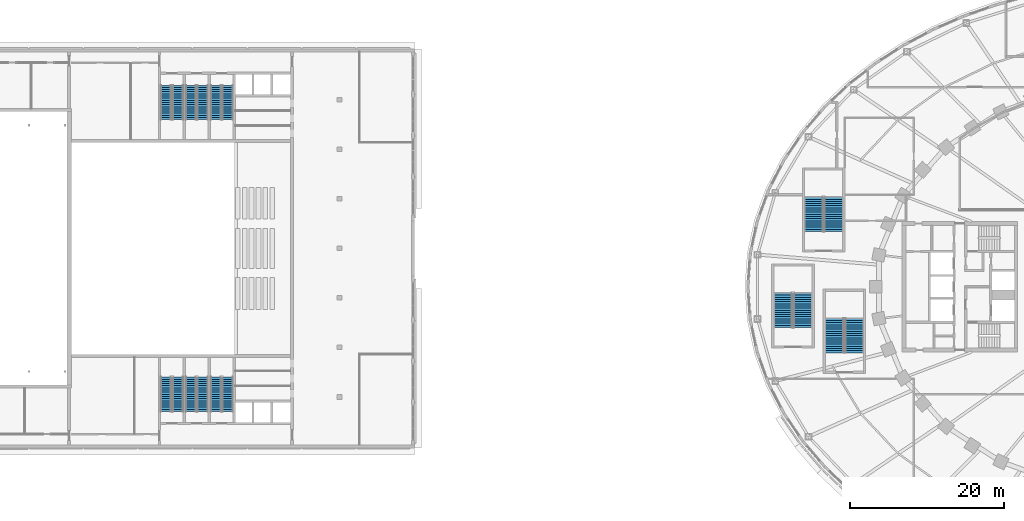
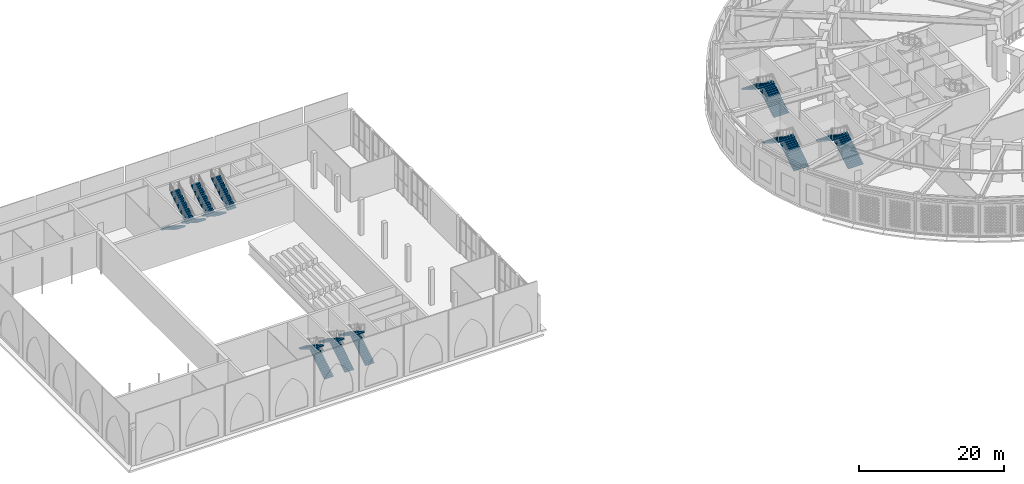
# One storey, part 27 of 74: 18 stair flights, 9 elements without a shape of their own.
"""IFC4 building model written with IfcOpenShell, lengths in metres."""

from ifc_helpers import new_model, si_unit, direction, frame, origin, place, context, subcontext, project, spatial, polyline, outline, extrude, material, type_object, element, aggregate, save


model = new_model("IFC4")

# Units and contexts
model_context = context("Model", 3, precision=1e-05, world=origin(), true_north=direction((0.0, 1.0)))
body_context = subcontext(model_context, "Body", "Model", "MODEL_VIEW")
ifc_project = project(units=[si_unit("LENGTHUNIT", "METRE"), si_unit("AREAUNIT", "SQUARE_METRE"), si_unit("VOLUMEUNIT", "CUBIC_METRE"), si_unit("PLANEANGLEUNIT", "RADIAN"), si_unit("MASSUNIT", "GRAM", prefix="KILO")], contexts=[model_context])

# Site, building, storey
site_placement = place(None, origin())
site = spatial("IfcSite", under=ifc_project, at=site_placement, CompositionType="ELEMENT")
building_placement = place(site_placement, origin())
building = spatial("IfcBuilding", under=site, at=building_placement, Name="Noorbagh Ring Tower", CompositionType="ELEMENT")
storey_placement = place(building_placement, frame((0.0, 0.0, 13.5)))
storey = spatial("IfcBuildingStorey", under=building, at=storey_placement, Name="L02", CompositionType="ELEMENT", Elevation=13.5)

# Stair, stair flights
ifc_material_1 = material(Name="Concrete C40/50", Category="concrete")
stair_type_1 = type_object("IfcStairType", Name="GND-STAIR", PredefinedType="HALF_TURN_STAIR", material=ifc_material_1)
stair_1_placement = place(storey_placement, origin())
stair_1 = element("IfcStair", 1, at=stair_1_placement, inside=storey, type_object=stair_type_1, Name="L02 exit stair ST-P1", PredefinedType="HALF_TURN_STAIR")
ifc_material_2 = material(Name="Concrete C40/50", Category="concrete")
stair_flight_type_1 = type_object("IfcStairFlightType", Name="GND-STAIR-FLIGHT", PredefinedType="STRAIGHT", material=ifc_material_2)
stair_flight_1_placement = place(storey_placement, frame((-37.75, -8.60009765625, 0.0), z_axis=(0.0, 0.0, 1.0), x_axis=(0.0, 1.0, 0.0)))
stair_flight_1 = element("IfcStairFlight", 2, at=stair_flight_1_placement, type_object=stair_flight_type_1, Name="ST-P1 flight 1", NumberOfRisers=17, NumberOfTreads=16, PredefinedType="STRAIGHT", RiserHeight=0.176470588, TreadLength=0.28, context=body_context, shape_type="SweptSolid", body=[
    extrude(outline(polyline([(0.0, 0.0), (0.0, 0.176513671875), (0.280029296875, 0.176513671875), (0.280029296875, 0.35302734375), (0.56005859375, 0.35302734375), (0.56005859375, 0.529296875), (0.840087890625, 0.529296875), (0.840087890625, 0.705810546875), (1.1201171875, 0.705810546875), (1.1201171875, 0.88232421875), (1.39990234375, 0.88232421875), (1.39990234375, 1.058837890625), (1.679931640625, 1.058837890625), (1.679931640625, 1.2353515625), (1.9599609375, 1.2353515625), (1.9599609375, 1.411865234375), (2.239990234375, 1.411865234375), (2.239990234375, 1.588134765625), (2.52001953125, 1.588134765625), (2.52001953125, 1.7646484375), (2.800048828125, 1.7646484375), (2.800048828125, 1.941162109375), (3.080078125, 1.941162109375), (3.080078125, 2.11767578125), (3.360107421875, 2.11767578125), (3.360107421875, 2.294189453125), (3.639892578125, 2.294189453125), (3.639892578125, 2.470703125), (3.919921875, 2.470703125), (3.919921875, 2.64697265625), (4.199951171875, 2.64697265625), (4.199951171875, 2.823486328125), (4.47998046875, 2.823486328125), (4.47998046875, 3.0), (4.47998046875, 2.646240234375), (0.28125, 0.0), (0.0, 0.0)])), frame((0.0, 1.199951171875, 0.0), z_axis=(0.0, -1.0, 0.0), x_axis=(1.0, 0.0, 0.0)), (0.0, 0.0, 1.0), 2.39990234375),
])
stair_flight_2_placement = place(storey_placement, frame((-40.300048828125, -4.1201171875, 3.0), z_axis=(0.0, 0.0, 1.0), x_axis=(0.0, -1.0, 0.0)))
stair_flight_2 = element("IfcStairFlight", 3, at=stair_flight_2_placement, type_object=stair_flight_type_1, Name="ST-P1 flight 2", NumberOfRisers=17, NumberOfTreads=16, PredefinedType="STRAIGHT", RiserHeight=0.176470588, TreadLength=0.28, context=body_context, shape_type="SweptSolid", body=[
    extrude(outline(polyline([(0.0, 0.0), (0.0, 0.176513671875), (0.280029296875, 0.176513671875), (0.280029296875, 0.35302734375), (0.56005859375, 0.35302734375), (0.56005859375, 0.529296875), (0.840087890625, 0.529296875), (0.840087890625, 0.705810546875), (1.1201171875, 0.705810546875), (1.1201171875, 0.88232421875), (1.39990234375, 0.88232421875), (1.39990234375, 1.058837890625), (1.679931640625, 1.058837890625), (1.679931640625, 1.2353515625), (1.9599609375, 1.2353515625), (1.9599609375, 1.411865234375), (2.239990234375, 1.411865234375), (2.239990234375, 1.588134765625), (2.52001953125, 1.588134765625), (2.52001953125, 1.7646484375), (2.800048828125, 1.7646484375), (2.800048828125, 1.941162109375), (3.080078125, 1.941162109375), (3.080078125, 2.11767578125), (3.360107421875, 2.11767578125), (3.360107421875, 2.294189453125), (3.639892578125, 2.294189453125), (3.639892578125, 2.470703125), (3.919921875, 2.470703125), (3.919921875, 2.64697265625), (4.199951171875, 2.64697265625), (4.199951171875, 2.823486328125), (4.47998046875, 2.823486328125), (4.47998046875, 3.0), (4.47998046875, 2.646240234375), (0.28125, 0.0), (0.0, 0.0)])), frame((0.0, 1.199951171875, 0.0), z_axis=(0.0, -1.0, 0.0), x_axis=(1.0, 0.0, 0.0)), (0.0, 0.0, 1.0), 2.39990234375),
])
aggregate(stair_1, [stair_flight_1, stair_flight_2])

stair_2_placement = place(storey_placement, origin())
stair_2 = element("IfcStair", 4, at=stair_2_placement, inside=storey, type_object=stair_type_1, Name="L02 exit stair ST-P3", PredefinedType="HALF_TURN_STAIR")
stair_flight_3_placement = place(storey_placement, frame((-44.449951171875, -5.300048828125, 0.0), z_axis=(0.0, 0.0, 1.0), x_axis=(0.0, 1.0, 0.0)))
stair_flight_3 = element("IfcStairFlight", 5, at=stair_flight_3_placement, type_object=stair_flight_type_1, Name="ST-P3 flight 1", NumberOfRisers=17, NumberOfTreads=16, PredefinedType="STRAIGHT", RiserHeight=0.176470588, TreadLength=0.28, context=body_context, shape_type="SweptSolid", body=[
    extrude(outline(polyline([(0.0, 0.0), (0.0, 0.176513671875), (0.280029296875, 0.176513671875), (0.280029296875, 0.35302734375), (0.56005859375, 0.35302734375), (0.56005859375, 0.529296875), (0.840087890625, 0.529296875), (0.840087890625, 0.705810546875), (1.1201171875, 0.705810546875), (1.1201171875, 0.88232421875), (1.39990234375, 0.88232421875), (1.39990234375, 1.058837890625), (1.679931640625, 1.058837890625), (1.679931640625, 1.2353515625), (1.9599609375, 1.2353515625), (1.9599609375, 1.411865234375), (2.239990234375, 1.411865234375), (2.239990234375, 1.588134765625), (2.52001953125, 1.588134765625), (2.52001953125, 1.7646484375), (2.800048828125, 1.7646484375), (2.800048828125, 1.941162109375), (3.080078125, 1.941162109375), (3.080078125, 2.11767578125), (3.360107421875, 2.11767578125), (3.360107421875, 2.294189453125), (3.639892578125, 2.294189453125), (3.639892578125, 2.470703125), (3.919921875, 2.470703125), (3.919921875, 2.64697265625), (4.199951171875, 2.64697265625), (4.199951171875, 2.823486328125), (4.47998046875, 2.823486328125), (4.47998046875, 3.0), (4.47998046875, 2.646240234375), (0.28125, 0.0), (0.0, 0.0)])), frame((0.0, 1.199951171875, 0.0), z_axis=(0.0, -1.0, 0.0), x_axis=(1.0, 0.0, 0.0)), (0.0, 0.0, 1.0), 2.39990234375),
])
stair_flight_4_placement = place(storey_placement, frame((-47.0, -0.820068359375, 3.0), z_axis=(0.0, 0.0, 1.0), x_axis=(0.0, -1.0, 0.0)))
stair_flight_4 = element("IfcStairFlight", 6, at=stair_flight_4_placement, type_object=stair_flight_type_1, Name="ST-P3 flight 2", NumberOfRisers=17, NumberOfTreads=16, PredefinedType="STRAIGHT", RiserHeight=0.176470588, TreadLength=0.28, context=body_context, shape_type="SweptSolid", body=[
    extrude(outline(polyline([(0.0, 0.0), (0.0, 0.176513671875), (0.280029296875, 0.176513671875), (0.280029296875, 0.35302734375), (0.56005859375, 0.35302734375), (0.56005859375, 0.529296875), (0.840087890625, 0.529296875), (0.840087890625, 0.705810546875), (1.1201171875, 0.705810546875), (1.1201171875, 0.88232421875), (1.39990234375, 0.88232421875), (1.39990234375, 1.058837890625), (1.679931640625, 1.058837890625), (1.679931640625, 1.2353515625), (1.9599609375, 1.2353515625), (1.9599609375, 1.411865234375), (2.239990234375, 1.411865234375), (2.239990234375, 1.588134765625), (2.52001953125, 1.588134765625), (2.52001953125, 1.7646484375), (2.800048828125, 1.7646484375), (2.800048828125, 1.941162109375), (3.080078125, 1.941162109375), (3.080078125, 2.11767578125), (3.360107421875, 2.11767578125), (3.360107421875, 2.294189453125), (3.639892578125, 2.294189453125), (3.639892578125, 2.470703125), (3.919921875, 2.470703125), (3.919921875, 2.64697265625), (4.199951171875, 2.64697265625), (4.199951171875, 2.823486328125), (4.47998046875, 2.823486328125), (4.47998046875, 3.0), (4.47998046875, 2.646240234375), (0.28125, 0.0), (0.0, 0.0)])), frame((0.0, 1.199951171875, 0.0), z_axis=(0.0, -1.0, 0.0), x_axis=(1.0, 0.0, 0.0)), (0.0, 0.0, 1.0), 2.39990234375),
])
aggregate(stair_2, [stair_flight_3, stair_flight_4])

stair_3_placement = place(storey_placement, origin())
stair_3 = element("IfcStair", 7, at=stair_3_placement, inside=storey, type_object=stair_type_1, Name="L02 exit stair ST-P7", PredefinedType="HALF_TURN_STAIR")
stair_flight_5_placement = place(storey_placement, frame((-40.449951171875, 7.199951171875, 0.0), z_axis=(0.0, 0.0, 1.0), x_axis=(0.0, 1.0, 0.0)))
stair_flight_5 = element("IfcStairFlight", 8, at=stair_flight_5_placement, type_object=stair_flight_type_1, Name="ST-P7 flight 1", NumberOfRisers=17, NumberOfTreads=16, PredefinedType="STRAIGHT", RiserHeight=0.176470588, TreadLength=0.28, context=body_context, shape_type="SweptSolid", body=[
    extrude(outline(polyline([(0.0, 0.0), (0.0, 0.176513671875), (0.280029296875, 0.176513671875), (0.280029296875, 0.35302734375), (0.56005859375, 0.35302734375), (0.56005859375, 0.529296875), (0.840087890625, 0.529296875), (0.840087890625, 0.705810546875), (1.1201171875, 0.705810546875), (1.1201171875, 0.88232421875), (1.39990234375, 0.88232421875), (1.39990234375, 1.058837890625), (1.679931640625, 1.058837890625), (1.679931640625, 1.2353515625), (1.9599609375, 1.2353515625), (1.9599609375, 1.411865234375), (2.239990234375, 1.411865234375), (2.239990234375, 1.588134765625), (2.52001953125, 1.588134765625), (2.52001953125, 1.7646484375), (2.800048828125, 1.7646484375), (2.800048828125, 1.941162109375), (3.080078125, 1.941162109375), (3.080078125, 2.11767578125), (3.360107421875, 2.11767578125), (3.360107421875, 2.294189453125), (3.639892578125, 2.294189453125), (3.639892578125, 2.470703125), (3.919921875, 2.470703125), (3.919921875, 2.64697265625), (4.199951171875, 2.64697265625), (4.199951171875, 2.823486328125), (4.47998046875, 2.823486328125), (4.47998046875, 3.0), (4.47998046875, 2.646240234375), (0.28125, 0.0), (0.0, 0.0)])), frame((0.0, 1.199951171875, 0.0), z_axis=(0.0, -1.0, 0.0), x_axis=(1.0, 0.0, 0.0)), (0.0, 0.0, 1.0), 2.39990234375),
])
stair_flight_6_placement = place(storey_placement, frame((-43.0, 11.679931640625, 3.0), z_axis=(0.0, 0.0, 1.0), x_axis=(0.0, -1.0, 0.0)))
stair_flight_6 = element("IfcStairFlight", 9, at=stair_flight_6_placement, type_object=stair_flight_type_1, Name="ST-P7 flight 2", NumberOfRisers=17, NumberOfTreads=16, PredefinedType="STRAIGHT", RiserHeight=0.176470588, TreadLength=0.28, context=body_context, shape_type="SweptSolid", body=[
    extrude(outline(polyline([(0.0, 0.0), (0.0, 0.176513671875), (0.280029296875, 0.176513671875), (0.280029296875, 0.35302734375), (0.56005859375, 0.35302734375), (0.56005859375, 0.529296875), (0.840087890625, 0.529296875), (0.840087890625, 0.705810546875), (1.1201171875, 0.705810546875), (1.1201171875, 0.88232421875), (1.39990234375, 0.88232421875), (1.39990234375, 1.058837890625), (1.679931640625, 1.058837890625), (1.679931640625, 1.2353515625), (1.9599609375, 1.2353515625), (1.9599609375, 1.411865234375), (2.239990234375, 1.411865234375), (2.239990234375, 1.588134765625), (2.52001953125, 1.588134765625), (2.52001953125, 1.7646484375), (2.800048828125, 1.7646484375), (2.800048828125, 1.941162109375), (3.080078125, 1.941162109375), (3.080078125, 2.11767578125), (3.360107421875, 2.11767578125), (3.360107421875, 2.294189453125), (3.639892578125, 2.294189453125), (3.639892578125, 2.470703125), (3.919921875, 2.470703125), (3.919921875, 2.64697265625), (4.199951171875, 2.64697265625), (4.199951171875, 2.823486328125), (4.47998046875, 2.823486328125), (4.47998046875, 3.0), (4.47998046875, 2.646240234375), (0.28125, 0.0), (0.0, 0.0)])), frame((0.0, 1.199951171875, 0.0), z_axis=(0.0, -1.0, 0.0), x_axis=(1.0, 0.0, 0.0)), (0.0, 0.0, 1.0), 2.39990234375),
])
aggregate(stair_3, [stair_flight_5, stair_flight_6])

ifc_material_3 = material(Name="Concrete C40/50", Category="concrete")
stair_type_2 = type_object("IfcStairType", Name="TH-STAIR", PredefinedType="HALF_TURN_STAIR", material=ifc_material_3)
stair_4_placement = place(storey_placement, origin())
stair_4 = element("IfcStair", 10, at=stair_4_placement, inside=storey, type_object=stair_type_2, Name="L02 Exit stair S1", PredefinedType="HALF_TURN_STAIR")
ifc_material_4 = material(Name="Concrete C40/50", Category="concrete")
stair_flight_type_2 = type_object("IfcStairFlightType", Name="TH-STAIR-FLIGHT", PredefinedType="STRAIGHT", material=ifc_material_4)
stair_flight_7_placement = place(storey_placement, frame((-122.60009765625, -16.25, 0.0), z_axis=(0.0, 0.0, 1.0), x_axis=(0.0, 1.0, 0.0)))
stair_flight_7 = element("IfcStairFlight", 11, at=stair_flight_7_placement, type_object=stair_flight_type_2, Name="TSS1 flight 1", NumberOfRisers=17, NumberOfTreads=16, PredefinedType="STRAIGHT", RiserHeight=0.176470588, TreadLength=0.28, context=body_context, shape_type="SweptSolid", body=[
    extrude(outline(polyline([(0.0, 0.0), (0.0, 0.176513671875), (0.280029296875, 0.176513671875), (0.280029296875, 0.35302734375), (0.56005859375, 0.35302734375), (0.56005859375, 0.529296875), (0.840087890625, 0.529296875), (0.840087890625, 0.705810546875), (1.1201171875, 0.705810546875), (1.1201171875, 0.88232421875), (1.39990234375, 0.88232421875), (1.39990234375, 1.058837890625), (1.679931640625, 1.058837890625), (1.679931640625, 1.2353515625), (1.9599609375, 1.2353515625), (1.9599609375, 1.411865234375), (2.239990234375, 1.411865234375), (2.239990234375, 1.588134765625), (2.52001953125, 1.588134765625), (2.52001953125, 1.7646484375), (2.800048828125, 1.7646484375), (2.800048828125, 1.941162109375), (3.080078125, 1.941162109375), (3.080078125, 2.11767578125), (3.360107421875, 2.11767578125), (3.360107421875, 2.294189453125), (3.639892578125, 2.294189453125), (3.639892578125, 2.470703125), (3.919921875, 2.470703125), (3.919921875, 2.64697265625), (4.199951171875, 2.64697265625), (4.199951171875, 2.823486328125), (4.47998046875, 2.823486328125), (4.47998046875, 3.0), (4.47998046875, 2.646240234375), (0.28125, 0.0), (0.0, 0.0)])), frame((0.0, 0.699951171875, 0.0), z_axis=(0.0, -1.0, 0.0), x_axis=(1.0, 0.0, 0.0)), (0.0, 0.0, 1.0), 1.39990234375),
])
stair_flight_8_placement = place(storey_placement, frame((-124.14990234375, -11.77001953125, 3.0), z_axis=(0.0, 0.0, 1.0), x_axis=(0.0, -1.0, 0.0)))
stair_flight_8 = element("IfcStairFlight", 12, at=stair_flight_8_placement, type_object=stair_flight_type_2, Name="TSS1 flight 2", NumberOfRisers=17, NumberOfTreads=16, PredefinedType="STRAIGHT", RiserHeight=0.176470588, TreadLength=0.28, context=body_context, shape_type="SweptSolid", body=[
    extrude(outline(polyline([(0.0, 0.0), (0.0, 0.176513671875), (0.280029296875, 0.176513671875), (0.280029296875, 0.35302734375), (0.56005859375, 0.35302734375), (0.56005859375, 0.529296875), (0.840087890625, 0.529296875), (0.840087890625, 0.705810546875), (1.1201171875, 0.705810546875), (1.1201171875, 0.88232421875), (1.39990234375, 0.88232421875), (1.39990234375, 1.058837890625), (1.679931640625, 1.058837890625), (1.679931640625, 1.2353515625), (1.9599609375, 1.2353515625), (1.9599609375, 1.411865234375), (2.239990234375, 1.411865234375), (2.239990234375, 1.588134765625), (2.52001953125, 1.588134765625), (2.52001953125, 1.7646484375), (2.800048828125, 1.7646484375), (2.800048828125, 1.941162109375), (3.080078125, 1.941162109375), (3.080078125, 2.11767578125), (3.360107421875, 2.11767578125), (3.360107421875, 2.294189453125), (3.639892578125, 2.294189453125), (3.639892578125, 2.470703125), (3.919921875, 2.470703125), (3.919921875, 2.64697265625), (4.199951171875, 2.64697265625), (4.199951171875, 2.823486328125), (4.47998046875, 2.823486328125), (4.47998046875, 3.0), (4.47998046875, 2.646240234375), (0.28125, 0.0), (0.0, 0.0)])), frame((0.0, 0.699951171875, 0.0), z_axis=(0.0, -1.0, 0.0), x_axis=(1.0, 0.0, 0.0)), (0.0, 0.0, 1.0), 1.39990234375),
])
aggregate(stair_4, [stair_flight_7, stair_flight_8])

stair_5_placement = place(storey_placement, origin())
stair_5 = element("IfcStair", 13, at=stair_5_placement, inside=storey, type_object=stair_type_2, Name="L02 Exit stair S2", PredefinedType="HALF_TURN_STAIR")
stair_flight_9_placement = place(storey_placement, frame((-119.35009765625, -16.25, 0.0), z_axis=(0.0, 0.0, 1.0), x_axis=(0.0, 1.0, 0.0)))
stair_flight_9 = element("IfcStairFlight", 14, at=stair_flight_9_placement, type_object=stair_flight_type_2, Name="TSS2 flight 1", NumberOfRisers=17, NumberOfTreads=16, PredefinedType="STRAIGHT", RiserHeight=0.176470588, TreadLength=0.28, context=body_context, shape_type="SweptSolid", body=[
    extrude(outline(polyline([(0.0, 0.0), (0.0, 0.176513671875), (0.280029296875, 0.176513671875), (0.280029296875, 0.35302734375), (0.56005859375, 0.35302734375), (0.56005859375, 0.529296875), (0.840087890625, 0.529296875), (0.840087890625, 0.705810546875), (1.1201171875, 0.705810546875), (1.1201171875, 0.88232421875), (1.39990234375, 0.88232421875), (1.39990234375, 1.058837890625), (1.679931640625, 1.058837890625), (1.679931640625, 1.2353515625), (1.9599609375, 1.2353515625), (1.9599609375, 1.411865234375), (2.239990234375, 1.411865234375), (2.239990234375, 1.588134765625), (2.52001953125, 1.588134765625), (2.52001953125, 1.7646484375), (2.800048828125, 1.7646484375), (2.800048828125, 1.941162109375), (3.080078125, 1.941162109375), (3.080078125, 2.11767578125), (3.360107421875, 2.11767578125), (3.360107421875, 2.294189453125), (3.639892578125, 2.294189453125), (3.639892578125, 2.470703125), (3.919921875, 2.470703125), (3.919921875, 2.64697265625), (4.199951171875, 2.64697265625), (4.199951171875, 2.823486328125), (4.47998046875, 2.823486328125), (4.47998046875, 3.0), (4.47998046875, 2.646240234375), (0.28125, 0.0), (0.0, 0.0)])), frame((0.0, 0.699951171875, 0.0), z_axis=(0.0, -1.0, 0.0), x_axis=(1.0, 0.0, 0.0)), (0.0, 0.0, 1.0), 1.39990234375),
])
stair_flight_10_placement = place(storey_placement, frame((-120.89990234375, -11.77001953125, 3.0), z_axis=(0.0, 0.0, 1.0), x_axis=(0.0, -1.0, 0.0)))
stair_flight_10 = element("IfcStairFlight", 15, at=stair_flight_10_placement, type_object=stair_flight_type_2, Name="TSS2 flight 2", NumberOfRisers=17, NumberOfTreads=16, PredefinedType="STRAIGHT", RiserHeight=0.176470588, TreadLength=0.28, context=body_context, shape_type="SweptSolid", body=[
    extrude(outline(polyline([(0.0, 0.0), (0.0, 0.176513671875), (0.280029296875, 0.176513671875), (0.280029296875, 0.35302734375), (0.56005859375, 0.35302734375), (0.56005859375, 0.529296875), (0.840087890625, 0.529296875), (0.840087890625, 0.705810546875), (1.1201171875, 0.705810546875), (1.1201171875, 0.88232421875), (1.39990234375, 0.88232421875), (1.39990234375, 1.058837890625), (1.679931640625, 1.058837890625), (1.679931640625, 1.2353515625), (1.9599609375, 1.2353515625), (1.9599609375, 1.411865234375), (2.239990234375, 1.411865234375), (2.239990234375, 1.588134765625), (2.52001953125, 1.588134765625), (2.52001953125, 1.7646484375), (2.800048828125, 1.7646484375), (2.800048828125, 1.941162109375), (3.080078125, 1.941162109375), (3.080078125, 2.11767578125), (3.360107421875, 2.11767578125), (3.360107421875, 2.294189453125), (3.639892578125, 2.294189453125), (3.639892578125, 2.470703125), (3.919921875, 2.470703125), (3.919921875, 2.64697265625), (4.199951171875, 2.64697265625), (4.199951171875, 2.823486328125), (4.47998046875, 2.823486328125), (4.47998046875, 3.0), (4.47998046875, 2.646240234375), (0.28125, 0.0), (0.0, 0.0)])), frame((0.0, 0.699951171875, 0.0), z_axis=(0.0, -1.0, 0.0), x_axis=(1.0, 0.0, 0.0)), (0.0, 0.0, 1.0), 1.39990234375),
])
aggregate(stair_5, [stair_flight_9, stair_flight_10])

stair_6_placement = place(storey_placement, origin())
stair_6 = element("IfcStair", 16, at=stair_6_placement, inside=storey, type_object=stair_type_2, Name="L02 Exit stair S3", PredefinedType="HALF_TURN_STAIR")
stair_flight_11_placement = place(storey_placement, frame((-125.85009765625, -16.25, 0.0), z_axis=(0.0, 0.0, 1.0), x_axis=(0.0, 1.0, 0.0)))
stair_flight_11 = element("IfcStairFlight", 17, at=stair_flight_11_placement, type_object=stair_flight_type_2, Name="TSS3 flight 1", NumberOfRisers=17, NumberOfTreads=16, PredefinedType="STRAIGHT", RiserHeight=0.176470588, TreadLength=0.28, context=body_context, shape_type="SweptSolid", body=[
    extrude(outline(polyline([(0.0, 0.0), (0.0, 0.176513671875), (0.280029296875, 0.176513671875), (0.280029296875, 0.35302734375), (0.56005859375, 0.35302734375), (0.56005859375, 0.529296875), (0.840087890625, 0.529296875), (0.840087890625, 0.705810546875), (1.1201171875, 0.705810546875), (1.1201171875, 0.88232421875), (1.39990234375, 0.88232421875), (1.39990234375, 1.058837890625), (1.679931640625, 1.058837890625), (1.679931640625, 1.2353515625), (1.9599609375, 1.2353515625), (1.9599609375, 1.411865234375), (2.239990234375, 1.411865234375), (2.239990234375, 1.588134765625), (2.52001953125, 1.588134765625), (2.52001953125, 1.7646484375), (2.800048828125, 1.7646484375), (2.800048828125, 1.941162109375), (3.080078125, 1.941162109375), (3.080078125, 2.11767578125), (3.360107421875, 2.11767578125), (3.360107421875, 2.294189453125), (3.639892578125, 2.294189453125), (3.639892578125, 2.470703125), (3.919921875, 2.470703125), (3.919921875, 2.64697265625), (4.199951171875, 2.64697265625), (4.199951171875, 2.823486328125), (4.47998046875, 2.823486328125), (4.47998046875, 3.0), (4.47998046875, 2.646240234375), (0.28125, 0.0), (0.0, 0.0)])), frame((0.0, 0.699951171875, 0.0), z_axis=(0.0, -1.0, 0.0), x_axis=(1.0, 0.0, 0.0)), (0.0, 0.0, 1.0), 1.39990234375),
])
stair_flight_12_placement = place(storey_placement, frame((-127.39990234375, -11.77001953125, 3.0), z_axis=(0.0, 0.0, 1.0), x_axis=(0.0, -1.0, 0.0)))
stair_flight_12 = element("IfcStairFlight", 18, at=stair_flight_12_placement, type_object=stair_flight_type_2, Name="TSS3 flight 2", NumberOfRisers=17, NumberOfTreads=16, PredefinedType="STRAIGHT", RiserHeight=0.176470588, TreadLength=0.28, context=body_context, shape_type="SweptSolid", body=[
    extrude(outline(polyline([(0.0, 0.0), (0.0, 0.176513671875), (0.280029296875, 0.176513671875), (0.280029296875, 0.35302734375), (0.56005859375, 0.35302734375), (0.56005859375, 0.529296875), (0.840087890625, 0.529296875), (0.840087890625, 0.705810546875), (1.1201171875, 0.705810546875), (1.1201171875, 0.88232421875), (1.39990234375, 0.88232421875), (1.39990234375, 1.058837890625), (1.679931640625, 1.058837890625), (1.679931640625, 1.2353515625), (1.9599609375, 1.2353515625), (1.9599609375, 1.411865234375), (2.239990234375, 1.411865234375), (2.239990234375, 1.588134765625), (2.52001953125, 1.588134765625), (2.52001953125, 1.7646484375), (2.800048828125, 1.7646484375), (2.800048828125, 1.941162109375), (3.080078125, 1.941162109375), (3.080078125, 2.11767578125), (3.360107421875, 2.11767578125), (3.360107421875, 2.294189453125), (3.639892578125, 2.294189453125), (3.639892578125, 2.470703125), (3.919921875, 2.470703125), (3.919921875, 2.64697265625), (4.199951171875, 2.64697265625), (4.199951171875, 2.823486328125), (4.47998046875, 2.823486328125), (4.47998046875, 3.0), (4.47998046875, 2.646240234375), (0.28125, 0.0), (0.0, 0.0)])), frame((0.0, 0.699951171875, 0.0), z_axis=(0.0, -1.0, 0.0), x_axis=(1.0, 0.0, 0.0)), (0.0, 0.0, 1.0), 1.39990234375),
])
aggregate(stair_6, [stair_flight_11, stair_flight_12])

stair_7_placement = place(storey_placement, origin())
stair_7 = element("IfcStair", 19, at=stair_7_placement, inside=storey, type_object=stair_type_2, Name="L02 Exit stair N1", PredefinedType="HALF_TURN_STAIR")
stair_flight_13_placement = place(storey_placement, frame((-124.14990234375, 26.25, 0.0), z_axis=(0.0, 0.0, 1.0), x_axis=(0.0, -1.0, 0.0)))
stair_flight_13 = element("IfcStairFlight", 20, at=stair_flight_13_placement, type_object=stair_flight_type_2, Name="TSN1 flight 1", NumberOfRisers=17, NumberOfTreads=16, PredefinedType="STRAIGHT", RiserHeight=0.176470588, TreadLength=0.28, context=body_context, shape_type="SweptSolid", body=[
    extrude(outline(polyline([(0.0, 0.0), (0.0, 0.176513671875), (0.280029296875, 0.176513671875), (0.280029296875, 0.35302734375), (0.56005859375, 0.35302734375), (0.56005859375, 0.529296875), (0.840087890625, 0.529296875), (0.840087890625, 0.705810546875), (1.1201171875, 0.705810546875), (1.1201171875, 0.88232421875), (1.39990234375, 0.88232421875), (1.39990234375, 1.058837890625), (1.679931640625, 1.058837890625), (1.679931640625, 1.2353515625), (1.9599609375, 1.2353515625), (1.9599609375, 1.411865234375), (2.239990234375, 1.411865234375), (2.239990234375, 1.588134765625), (2.52001953125, 1.588134765625), (2.52001953125, 1.7646484375), (2.800048828125, 1.7646484375), (2.800048828125, 1.941162109375), (3.080078125, 1.941162109375), (3.080078125, 2.11767578125), (3.360107421875, 2.11767578125), (3.360107421875, 2.294189453125), (3.639892578125, 2.294189453125), (3.639892578125, 2.470703125), (3.919921875, 2.470703125), (3.919921875, 2.64697265625), (4.199951171875, 2.64697265625), (4.199951171875, 2.823486328125), (4.47998046875, 2.823486328125), (4.47998046875, 3.0), (4.47998046875, 2.646240234375), (0.28125, 0.0), (0.0, 0.0)])), frame((0.0, 0.699951171875, 0.0), z_axis=(0.0, -1.0, 0.0), x_axis=(1.0, 0.0, 0.0)), (0.0, 0.0, 1.0), 1.39990234375),
])
stair_flight_14_placement = place(storey_placement, frame((-122.60009765625, 21.77001953125, 3.0), z_axis=(0.0, 0.0, 1.0), x_axis=(0.0, 1.0, 0.0)))
stair_flight_14 = element("IfcStairFlight", 21, at=stair_flight_14_placement, type_object=stair_flight_type_2, Name="TSN1 flight 2", NumberOfRisers=17, NumberOfTreads=16, PredefinedType="STRAIGHT", RiserHeight=0.176470588, TreadLength=0.28, context=body_context, shape_type="SweptSolid", body=[
    extrude(outline(polyline([(0.0, 0.0), (0.0, 0.176513671875), (0.280029296875, 0.176513671875), (0.280029296875, 0.35302734375), (0.56005859375, 0.35302734375), (0.56005859375, 0.529296875), (0.840087890625, 0.529296875), (0.840087890625, 0.705810546875), (1.1201171875, 0.705810546875), (1.1201171875, 0.88232421875), (1.39990234375, 0.88232421875), (1.39990234375, 1.058837890625), (1.679931640625, 1.058837890625), (1.679931640625, 1.2353515625), (1.9599609375, 1.2353515625), (1.9599609375, 1.411865234375), (2.239990234375, 1.411865234375), (2.239990234375, 1.588134765625), (2.52001953125, 1.588134765625), (2.52001953125, 1.7646484375), (2.800048828125, 1.7646484375), (2.800048828125, 1.941162109375), (3.080078125, 1.941162109375), (3.080078125, 2.11767578125), (3.360107421875, 2.11767578125), (3.360107421875, 2.294189453125), (3.639892578125, 2.294189453125), (3.639892578125, 2.470703125), (3.919921875, 2.470703125), (3.919921875, 2.64697265625), (4.199951171875, 2.64697265625), (4.199951171875, 2.823486328125), (4.47998046875, 2.823486328125), (4.47998046875, 3.0), (4.47998046875, 2.646240234375), (0.28125, 0.0), (0.0, 0.0)])), frame((0.0, 0.699951171875, 0.0), z_axis=(0.0, -1.0, 0.0), x_axis=(1.0, 0.0, 0.0)), (0.0, 0.0, 1.0), 1.39990234375),
])
aggregate(stair_7, [stair_flight_13, stair_flight_14])

stair_8_placement = place(storey_placement, origin())
stair_8 = element("IfcStair", 22, at=stair_8_placement, inside=storey, type_object=stair_type_2, Name="L02 Exit stair N2", PredefinedType="HALF_TURN_STAIR")
stair_flight_15_placement = place(storey_placement, frame((-120.89990234375, 26.25, 0.0), z_axis=(0.0, 0.0, 1.0), x_axis=(0.0, -1.0, 0.0)))
stair_flight_15 = element("IfcStairFlight", 23, at=stair_flight_15_placement, type_object=stair_flight_type_2, Name="TSN2 flight 1", NumberOfRisers=17, NumberOfTreads=16, PredefinedType="STRAIGHT", RiserHeight=0.176470588, TreadLength=0.28, context=body_context, shape_type="SweptSolid", body=[
    extrude(outline(polyline([(0.0, 0.0), (0.0, 0.176513671875), (0.280029296875, 0.176513671875), (0.280029296875, 0.35302734375), (0.56005859375, 0.35302734375), (0.56005859375, 0.529296875), (0.840087890625, 0.529296875), (0.840087890625, 0.705810546875), (1.1201171875, 0.705810546875), (1.1201171875, 0.88232421875), (1.39990234375, 0.88232421875), (1.39990234375, 1.058837890625), (1.679931640625, 1.058837890625), (1.679931640625, 1.2353515625), (1.9599609375, 1.2353515625), (1.9599609375, 1.411865234375), (2.239990234375, 1.411865234375), (2.239990234375, 1.588134765625), (2.52001953125, 1.588134765625), (2.52001953125, 1.7646484375), (2.800048828125, 1.7646484375), (2.800048828125, 1.941162109375), (3.080078125, 1.941162109375), (3.080078125, 2.11767578125), (3.360107421875, 2.11767578125), (3.360107421875, 2.294189453125), (3.639892578125, 2.294189453125), (3.639892578125, 2.470703125), (3.919921875, 2.470703125), (3.919921875, 2.64697265625), (4.199951171875, 2.64697265625), (4.199951171875, 2.823486328125), (4.47998046875, 2.823486328125), (4.47998046875, 3.0), (4.47998046875, 2.646240234375), (0.28125, 0.0), (0.0, 0.0)])), frame((0.0, 0.699951171875, 0.0), z_axis=(0.0, -1.0, 0.0), x_axis=(1.0, 0.0, 0.0)), (0.0, 0.0, 1.0), 1.39990234375),
])
stair_flight_16_placement = place(storey_placement, frame((-119.35009765625, 21.77001953125, 3.0), z_axis=(0.0, 0.0, 1.0), x_axis=(0.0, 1.0, 0.0)))
stair_flight_16 = element("IfcStairFlight", 24, at=stair_flight_16_placement, type_object=stair_flight_type_2, Name="TSN2 flight 2", NumberOfRisers=17, NumberOfTreads=16, PredefinedType="STRAIGHT", RiserHeight=0.176470588, TreadLength=0.28, context=body_context, shape_type="SweptSolid", body=[
    extrude(outline(polyline([(0.0, 0.0), (0.0, 0.176513671875), (0.280029296875, 0.176513671875), (0.280029296875, 0.35302734375), (0.56005859375, 0.35302734375), (0.56005859375, 0.529296875), (0.840087890625, 0.529296875), (0.840087890625, 0.705810546875), (1.1201171875, 0.705810546875), (1.1201171875, 0.88232421875), (1.39990234375, 0.88232421875), (1.39990234375, 1.058837890625), (1.679931640625, 1.058837890625), (1.679931640625, 1.2353515625), (1.9599609375, 1.2353515625), (1.9599609375, 1.411865234375), (2.239990234375, 1.411865234375), (2.239990234375, 1.588134765625), (2.52001953125, 1.588134765625), (2.52001953125, 1.7646484375), (2.800048828125, 1.7646484375), (2.800048828125, 1.941162109375), (3.080078125, 1.941162109375), (3.080078125, 2.11767578125), (3.360107421875, 2.11767578125), (3.360107421875, 2.294189453125), (3.639892578125, 2.294189453125), (3.639892578125, 2.470703125), (3.919921875, 2.470703125), (3.919921875, 2.64697265625), (4.199951171875, 2.64697265625), (4.199951171875, 2.823486328125), (4.47998046875, 2.823486328125), (4.47998046875, 3.0), (4.47998046875, 2.646240234375), (0.28125, 0.0), (0.0, 0.0)])), frame((0.0, 0.699951171875, 0.0), z_axis=(0.0, -1.0, 0.0), x_axis=(1.0, 0.0, 0.0)), (0.0, 0.0, 1.0), 1.39990234375),
])
aggregate(stair_8, [stair_flight_15, stair_flight_16])

stair_9_placement = place(storey_placement, origin())
stair_9 = element("IfcStair", 25, at=stair_9_placement, inside=storey, type_object=stair_type_2, Name="L02 Exit stair N3", PredefinedType="HALF_TURN_STAIR")
stair_flight_17_placement = place(storey_placement, frame((-127.39990234375, 26.25, 0.0), z_axis=(0.0, 0.0, 1.0), x_axis=(0.0, -1.0, 0.0)))
stair_flight_17 = element("IfcStairFlight", 26, at=stair_flight_17_placement, type_object=stair_flight_type_2, Name="TSN3 flight 1", NumberOfRisers=17, NumberOfTreads=16, PredefinedType="STRAIGHT", RiserHeight=0.176470588, TreadLength=0.28, context=body_context, shape_type="SweptSolid", body=[
    extrude(outline(polyline([(0.0, 0.0), (0.0, 0.176513671875), (0.280029296875, 0.176513671875), (0.280029296875, 0.35302734375), (0.56005859375, 0.35302734375), (0.56005859375, 0.529296875), (0.840087890625, 0.529296875), (0.840087890625, 0.705810546875), (1.1201171875, 0.705810546875), (1.1201171875, 0.88232421875), (1.39990234375, 0.88232421875), (1.39990234375, 1.058837890625), (1.679931640625, 1.058837890625), (1.679931640625, 1.2353515625), (1.9599609375, 1.2353515625), (1.9599609375, 1.411865234375), (2.239990234375, 1.411865234375), (2.239990234375, 1.588134765625), (2.52001953125, 1.588134765625), (2.52001953125, 1.7646484375), (2.800048828125, 1.7646484375), (2.800048828125, 1.941162109375), (3.080078125, 1.941162109375), (3.080078125, 2.11767578125), (3.360107421875, 2.11767578125), (3.360107421875, 2.294189453125), (3.639892578125, 2.294189453125), (3.639892578125, 2.470703125), (3.919921875, 2.470703125), (3.919921875, 2.64697265625), (4.199951171875, 2.64697265625), (4.199951171875, 2.823486328125), (4.47998046875, 2.823486328125), (4.47998046875, 3.0), (4.47998046875, 2.646240234375), (0.28125, 0.0), (0.0, 0.0)])), frame((0.0, 0.699951171875, 0.0), z_axis=(0.0, -1.0, 0.0), x_axis=(1.0, 0.0, 0.0)), (0.0, 0.0, 1.0), 1.39990234375),
])
stair_flight_18_placement = place(storey_placement, frame((-125.85009765625, 21.77001953125, 3.0), z_axis=(0.0, 0.0, 1.0), x_axis=(0.0, 1.0, 0.0)))
stair_flight_18 = element("IfcStairFlight", 27, at=stair_flight_18_placement, type_object=stair_flight_type_2, Name="TSN3 flight 2", NumberOfRisers=17, NumberOfTreads=16, PredefinedType="STRAIGHT", RiserHeight=0.176470588, TreadLength=0.28, context=body_context, shape_type="SweptSolid", body=[
    extrude(outline(polyline([(0.0, 0.0), (0.0, 0.176513671875), (0.280029296875, 0.176513671875), (0.280029296875, 0.35302734375), (0.56005859375, 0.35302734375), (0.56005859375, 0.529296875), (0.840087890625, 0.529296875), (0.840087890625, 0.705810546875), (1.1201171875, 0.705810546875), (1.1201171875, 0.88232421875), (1.39990234375, 0.88232421875), (1.39990234375, 1.058837890625), (1.679931640625, 1.058837890625), (1.679931640625, 1.2353515625), (1.9599609375, 1.2353515625), (1.9599609375, 1.411865234375), (2.239990234375, 1.411865234375), (2.239990234375, 1.588134765625), (2.52001953125, 1.588134765625), (2.52001953125, 1.7646484375), (2.800048828125, 1.7646484375), (2.800048828125, 1.941162109375), (3.080078125, 1.941162109375), (3.080078125, 2.11767578125), (3.360107421875, 2.11767578125), (3.360107421875, 2.294189453125), (3.639892578125, 2.294189453125), (3.639892578125, 2.470703125), (3.919921875, 2.470703125), (3.919921875, 2.64697265625), (4.199951171875, 2.64697265625), (4.199951171875, 2.823486328125), (4.47998046875, 2.823486328125), (4.47998046875, 3.0), (4.47998046875, 2.646240234375), (0.28125, 0.0), (0.0, 0.0)])), frame((0.0, 0.699951171875, 0.0), z_axis=(0.0, -1.0, 0.0), x_axis=(1.0, 0.0, 0.0)), (0.0, 0.0, 1.0), 1.39990234375),
])
aggregate(stair_9, [stair_flight_17, stair_flight_18])

save(model, "model.ifc")
